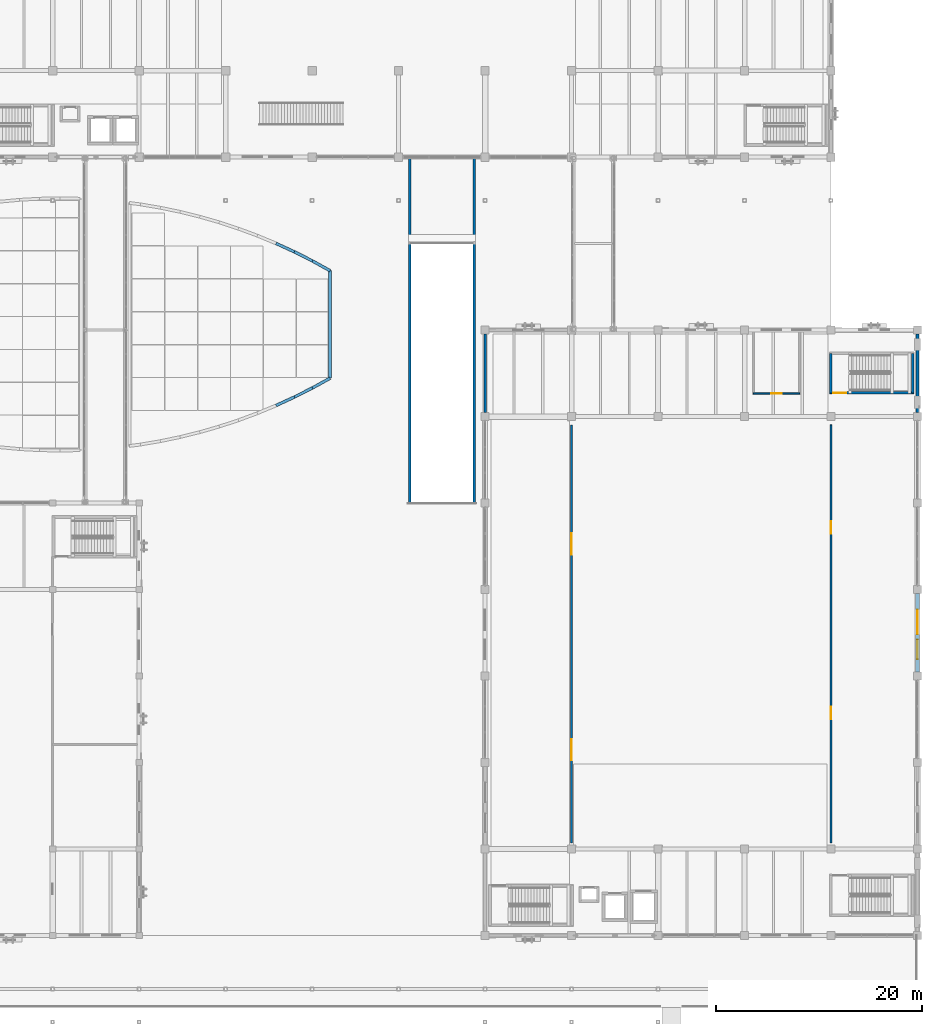
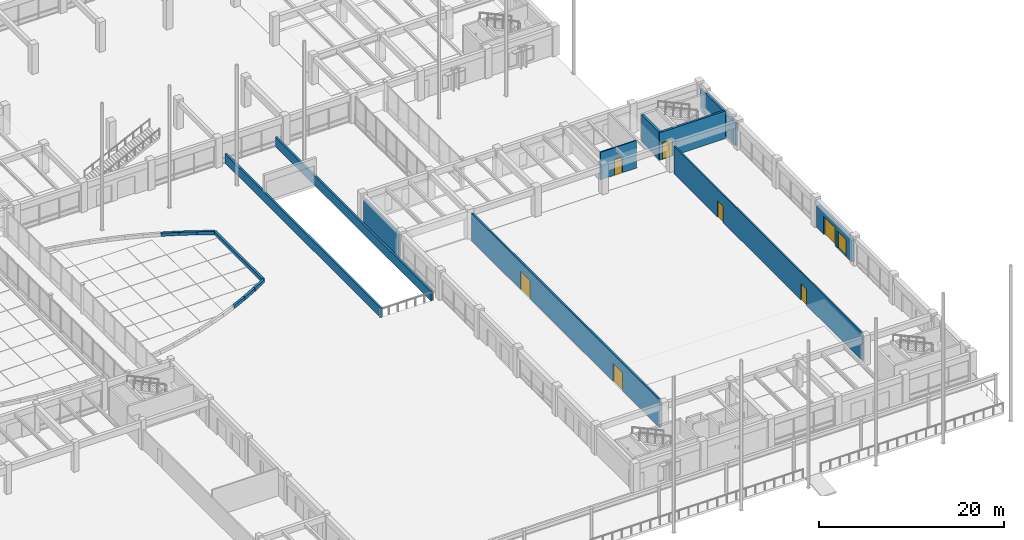
# One storey, part 97 of 135: 18 walls, 8 doors, 8 openings.
"""IFC4 building model written with IfcOpenShell, lengths in metres."""

from ifc_helpers import new_model, si_unit, direction, frame, frame_2d, origin, place, context, subcontext, project, spatial, rectangle, extrude, material, layer, layer_set, type_object, element, fill, save


model = new_model("IFC4")

# Units and contexts
model_context = context("Model", 3, precision=1e-05, world=origin(), true_north=direction((0.0, 1.0)))
body_context = subcontext(model_context, "Body", "Model", "MODEL_VIEW")
ifc_project = project(units=[si_unit("LENGTHUNIT", "METRE"), si_unit("AREAUNIT", "SQUARE_METRE"), si_unit("VOLUMEUNIT", "CUBIC_METRE"), si_unit("PLANEANGLEUNIT", "RADIAN"), si_unit("MASSUNIT", "GRAM", prefix="KILO")], contexts=[model_context])

# Site, building, storey
site_placement = place(None, origin())
site = spatial("IfcSite", under=ifc_project, at=site_placement, CompositionType="ELEMENT")
building_placement = place(site_placement, origin())
building = spatial("IfcBuilding", under=site, at=building_placement, Name="Cumbredor Promenade Congress Hotel", CompositionType="ELEMENT")
storey_placement = place(building_placement, origin())
storey = spatial("IfcBuildingStorey", under=building, at=storey_placement, Name="L00", CompositionType="ELEMENT", Elevation=0.0)

# Wall, openings, doors
ifc_material_1 = material(Name="Concrete C40/50", Category="concrete")
ifc_layer_1 = layer(ifc_material_1, 0.219970703125, Name="Concrete C40/50", Category="concrete")
ifc_layer_set_1 = layer_set([ifc_layer_1], Name="Concrete C40/50")
wall_type_1 = type_object("IfcWallType", Name="WL-ACOUST-220", PredefinedType="SOLIDWALL", material=ifc_layer_set_1)
wall_1_placement = place(storey_placement, frame((151.199951171875, 17.39990234375, 0.0), z_axis=(0.0, 0.0, 1.0), x_axis=(0.0, 1.0, 0.0)))
wall_1 = element("IfcWall", 1, at=wall_1_placement, inside=storey, type_object=wall_type_1, Name="L00 Interior Partition W-L00-V2-W", PredefinedType="SOLIDWALL", context=body_context, shape_type="SweptSolid", body=[
    extrude(rectangle(XDim=40.60009765625, YDim=0.219970703125, at=frame_2d((20.300048828125, 0.0))), origin(), (0.0, 0.0, 1.0), 3.639892578125),
])
opening_1_placement = place(wall_1_placement, frame((8.0, 0.0, 0.0)))
opening_1 = element("IfcOpeningElement", 2, at=opening_1_placement, cuts=wall_1, Name="Opening AD-02", PredefinedType="OPENING", context=body_context, shape_type="SweptSolid", body=[
    extrude(rectangle(XDim=2.050048828125, YDim=2.39990234375, at=frame_2d((1.02490234375, 1.199951171875))), frame((0.0, 0.1201171875, 0.0), z_axis=(0.0, -1.0, 0.0), x_axis=(1.0, 0.0, 0.0)), (0.0, 0.0, 1.0), 0.239990234375),
])
opening_2_placement = place(wall_1_placement, frame((28.0, 0.0, 0.0)))
opening_2 = element("IfcOpeningElement", 3, at=opening_2_placement, cuts=wall_1, Name="Opening AD-02", PredefinedType="OPENING", context=body_context, shape_type="SweptSolid", body=[
    extrude(rectangle(XDim=2.050048828125, YDim=2.39990234375, at=frame_2d((1.02490234375, 1.199951171875))), frame((0.0, 0.1201171875, 0.0), z_axis=(0.0, -1.0, 0.0), x_axis=(1.0, 0.0, 0.0)), (0.0, 0.0, 1.0), 0.239990234375),
])
ifc_material_2 = material(Name="Acoustic solid-core hardwood assembly door", Category="wood")
door_type_1 = type_object("IfcDoorType", Name="DR-BALL-2000", OperationType="DOUBLE_DOOR_SINGLE_SWING", PredefinedType="DOOR", material=ifc_material_2)
door_1_placement = place(opening_1_placement, origin())
door_1 = element("IfcDoor", 4, at=door_1_placement, inside=storey, type_object=door_type_1, Name="L00 Interior Door W-L00-V2-W-01", OperationType="DOUBLE_DOOR_SINGLE_SWING", OverallHeight=2.39990234375, OverallWidth=2.050048828125, PredefinedType="DOOR", context=body_context, shape_type="SweptSolid", body=[
    extrude(rectangle(XDim=2.050048828125, YDim=2.39990234375, at=frame_2d((1.02490234375, 1.199951171875))), frame((0.0, 0.02490234375, 0.0), z_axis=(0.0, -1.0, 0.0), x_axis=(1.0, 0.0, 0.0)), (0.0, 0.0, 1.0), 0.050048828125),
])
fill(opening_1, door_1)
door_2_placement = place(opening_2_placement, origin())
door_2 = element("IfcDoor", 5, at=door_2_placement, inside=storey, type_object=door_type_1, Name="L00 Interior Door W-L00-V2-W-02", OperationType="DOUBLE_DOOR_SINGLE_SWING", OverallHeight=2.39990234375, OverallWidth=2.050048828125, PredefinedType="DOOR", context=body_context, shape_type="SweptSolid", body=[
    extrude(rectangle(XDim=2.050048828125, YDim=2.39990234375, at=frame_2d((1.02490234375, 1.199951171875))), frame((0.0, 0.02490234375, 0.0), z_axis=(0.0, -1.0, 0.0), x_axis=(1.0, 0.0, 0.0)), (0.0, 0.0, 1.0), 0.050048828125),
])
fill(opening_2, door_2)

ifc_material_3 = material(Name="Fire-rated hotel corridor wall")
ifc_layer_2 = layer(ifc_material_3, 0.179931640625, Name="Fire-rated hotel corridor wall")
ifc_layer_set_2 = layer_set([ifc_layer_2], Name="Fire-rated hotel corridor wall")
wall_type_2 = type_object("IfcWallType", Name="WL-CORR-180", PredefinedType="PARTITIONING", material=ifc_layer_set_2)
wall_2_placement = place(storey_placement, frame((176.39990234375, 17.39990234375, 0.0), z_axis=(0.0, 0.0, 1.0), x_axis=(0.0, 1.0, 0.0)))
wall_2 = element("IfcWall", 6, at=wall_2_placement, inside=storey, type_object=wall_type_2, Name="L00 Interior Partition W-L00-V2-E", PredefinedType="PARTITIONING", context=body_context, shape_type="SweptSolid", body=[
    extrude(rectangle(XDim=40.60009765625, YDim=0.179931640625, at=frame_2d((20.300048828125, 0.0))), origin(), (0.0, 0.0, 1.0), 3.639892578125),
])
opening_3_placement = place(wall_2_placement, frame((12.0, 0.0, 0.0)))
opening_3 = element("IfcOpeningElement", 7, at=opening_3_placement, cuts=wall_2, Name="Opening FD-06", PredefinedType="OPENING", context=body_context, shape_type="SweptSolid", body=[
    extrude(rectangle(XDim=1.219970703125, YDim=2.14990234375, at=frame_2d((0.60986328125, 1.074951171875))), frame((0.0, 0.10009765625, 0.0), z_axis=(0.0, -1.0, 0.0), x_axis=(1.0, 0.0, 0.0)), (0.0, 0.0, 1.0), 0.199951171875),
])
opening_4_placement = place(wall_2_placement, frame((30.0, 0.0, 0.0)))
opening_4 = element("IfcOpeningElement", 8, at=opening_4_placement, cuts=wall_2, Name="Opening FD-06", PredefinedType="OPENING", context=body_context, shape_type="SweptSolid", body=[
    extrude(rectangle(XDim=1.219970703125, YDim=2.14990234375, at=frame_2d((0.60986328125, 1.074951171875))), frame((0.0, 0.10009765625, 0.0), z_axis=(0.0, -1.0, 0.0), x_axis=(1.0, 0.0, 0.0)), (0.0, 0.0, 1.0), 0.199951171875),
])
ifc_material_4 = material(Name="Painted galvanized steel fire door", Category="steel")
door_type_2 = type_object("IfcDoorType", Name="DR-SGL-FD60-1200", OperationType="NOTDEFINED", PredefinedType="DOOR", material=ifc_material_4)
door_3_placement = place(opening_3_placement, origin())
door_3 = element("IfcDoor", 9, at=door_3_placement, inside=storey, type_object=door_type_2, Name="L00 Interior Door W-L00-V2-E-01", OperationType="SINGLE_SWING_LEFT", OverallHeight=2.14990234375, OverallWidth=1.219970703125, PredefinedType="DOOR", context=body_context, shape_type="SweptSolid", body=[
    extrude(rectangle(XDim=1.219970703125, YDim=2.14990234375, at=frame_2d((0.60986328125, 1.074951171875))), frame((0.0, 0.02490234375, 0.0), z_axis=(0.0, -1.0, 0.0), x_axis=(1.0, 0.0, 0.0)), (0.0, 0.0, 1.0), 0.050048828125),
])
fill(opening_3, door_3)
door_4_placement = place(opening_4_placement, origin())
door_4 = element("IfcDoor", 10, at=door_4_placement, inside=storey, type_object=door_type_2, Name="L00 Interior Door W-L00-V2-E-02", OperationType="SINGLE_SWING_RIGHT", OverallHeight=2.14990234375, OverallWidth=1.219970703125, PredefinedType="DOOR", context=body_context, shape_type="SweptSolid", body=[
    extrude(rectangle(XDim=1.219970703125, YDim=2.14990234375, at=frame_2d((0.60986328125, 1.074951171875))), frame((0.0, 0.02490234375, 0.0), z_axis=(0.0, -1.0, 0.0), x_axis=(1.0, 0.0, 0.0)), (0.0, 0.0, 1.0), 0.050048828125),
])
fill(opening_4, door_4)

# Walls
ifc_layer_3 = layer(ifc_material_1, 0.260009765625, Name="Concrete C40/50", Category="concrete")
ifc_layer_set_3 = layer_set([ifc_layer_3], Name="Concrete C40/50")
wall_type_3 = type_object("IfcWallType", Name="WL-EXT-260", PredefinedType="SOLIDWALL", material=ifc_layer_set_3)
for number, where, z_axis, x_axis, name in (
    (11, (142.800048828125, 59.200927734375, 0.0), (0.0, 0.0, 1.0), (0.0, 1.0, 0.0), "L00 Grand Ballroom Pavilion West Envelope Wall 7"),
    (12, (184.800048828125, 59.200927734375, 0.0), (0.0, 0.0, 1.0), (0.0, 1.0, 0.0), "L00 Grand Ballroom Pavilion East Envelope Wall 7"),
):
    element("IfcWall", number, at=place(storey_placement, frame(where, z_axis=z_axis, x_axis=x_axis)), inside=storey, type_object=wall_type_3, Name=name, PredefinedType="SOLIDWALL", context=body_context, shape_type="SweptSolid", body=[
        extrude(rectangle(XDim=7.59814453125, YDim=0.260009765625, at=frame_2d((3.799072265625, 0.0))), origin(), (0.0, 0.0, 1.0), 2.97509765625),
    ])

# Wall, openings, doors
ifc_layer_4 = layer(ifc_material_1, 0.3798828125, Name="Concrete C40/50", Category="concrete")
ifc_layer_set_4 = layer_set([ifc_layer_4], Name="Concrete C40/50")
wall_type_4 = type_object("IfcWallType", Name="WL-EXT-380", PredefinedType="SOLIDWALL", material=ifc_layer_set_4)
wall_3_placement = place(storey_placement, frame((184.800048828125, 34.0009765625, 0.0), z_axis=(0.0, 0.0, 1.0), x_axis=(0.0, 1.0, 0.0)))
wall_3 = element("IfcWall", 13, at=wall_3_placement, inside=storey, type_object=wall_type_4, Name="L00 Grand Ballroom Pavilion East Envelope Wall 4", PredefinedType="SOLIDWALL", context=body_context, shape_type="SweptSolid", body=[
    extrude(rectangle(XDim=7.59814453125, YDim=0.3798828125, at=frame_2d((3.799072265625, 0.0))), origin(), (0.0, 0.0, 1.0), 2.875),
])
opening_5_placement = place(wall_3_placement, frame((1.2490234375, 0.0, 0.0)))
opening_5 = element("IfcOpeningElement", 14, at=opening_5_placement, cuts=wall_3, Name="Opening EX-02", PredefinedType="OPENING", context=body_context, shape_type="SweptSolid", body=[
    extrude(rectangle(XDim=1.89990234375, YDim=2.199951171875, at=frame_2d((0.949951171875, 1.10009765625))), frame((0.0, 0.199951171875, 0.0), z_axis=(0.0, -1.0, 0.0), x_axis=(1.0, 0.0, 0.0)), (0.0, 0.0, 1.0), 0.39990234375),
])
opening_6_placement = place(wall_3_placement, frame((3.64794921875, 0.0, 0.0)))
opening_6 = element("IfcOpeningElement", 15, at=opening_6_placement, cuts=wall_3, Name="Opening EX-05", PredefinedType="OPENING", context=body_context, shape_type="SweptSolid", body=[
    extrude(rectangle(XDim=2.39990234375, YDim=2.39990234375, at=frame_2d((1.199951171875, 1.199951171875))), frame((0.0, 0.199951171875, 0.0), z_axis=(0.0, -1.0, 0.0), x_axis=(1.0, 0.0, 0.0)), (0.0, 0.0, 1.0), 0.39990234375),
])
ifc_material_5 = material(Name="Thermally broken anodized aluminium and laminated safety glass", Category="aluminium")
door_type_3 = type_object("IfcDoorType", Name="EXT-DR-EXIT-1900x2200", OperationType="DOUBLE_DOOR_SINGLE_SWING", PredefinedType="DOOR", material=ifc_material_5)
door_5_placement = place(opening_5_placement, frame((1.89990234375, 0.0, 0.0), z_axis=(0.0, 0.0, 1.0), x_axis=(-1.0, 0.0, 0.0)))
door_5 = element("IfcDoor", 16, at=door_5_placement, inside=storey, type_object=door_type_3, Name="L00 Grand Ballroom Pavilion East Final Exit Door 13.1", OperationType="DOUBLE_DOOR_SINGLE_SWING", OverallHeight=2.199951171875, OverallWidth=1.89990234375, PredefinedType="DOOR", context=body_context, shape_type="SweptSolid", body=[
    extrude(rectangle(XDim=1.89990234375, YDim=2.199951171875, at=frame_2d((0.949951171875, 1.10009765625))), frame((0.0, 0.02490234375, 0.0), z_axis=(0.0, -1.0, 0.0), x_axis=(1.0, 0.0, 0.0)), (0.0, 0.0, 1.0), 0.050048828125),
])
fill(opening_5, door_5)
door_type_4 = type_object("IfcDoorType", Name="EXT-DR-EXIT-2400x2400", OperationType="DOUBLE_DOOR_SINGLE_SWING", PredefinedType="DOOR", material=ifc_material_5)
door_6_placement = place(opening_6_placement, frame((2.39990234375, 0.0, 0.0), z_axis=(0.0, 0.0, 1.0), x_axis=(-1.0, 0.0, 0.0)))
door_6 = element("IfcDoor", 17, at=door_6_placement, inside=storey, type_object=door_type_4, Name="L00 Grand Ballroom Pavilion East Final Exit Door 13.2", OperationType="DOUBLE_DOOR_SINGLE_SWING", OverallHeight=2.39990234375, OverallWidth=2.39990234375, PredefinedType="DOOR", context=body_context, shape_type="SweptSolid", body=[
    extrude(rectangle(XDim=2.39990234375, YDim=2.39990234375, at=frame_2d((1.199951171875, 1.199951171875))), frame((0.0, 0.02490234375, 0.0), z_axis=(0.0, -1.0, 0.0), x_axis=(1.0, 0.0, 0.0)), (0.0, 0.0, 1.0), 0.050048828125),
])
fill(opening_6, door_6)

# Walls
ifc_material_6 = material(Name="Precast concrete C40/50", Category="concrete")
ifc_layer_5 = layer(ifc_material_6, 0.239990234375, Name="Precast concrete C40/50", Category="concrete")
ifc_layer_set_5 = layer_set([ifc_layer_5], Name="Precast concrete C40/50")
wall_type_5 = type_object("IfcWallType", Name="WL-PAR-240", PredefinedType="PARAPET", material=ifc_layer_set_5)
for number, where, z_axis, x_axis, name in (
    (18, (135.469970703125, 50.39990234375, 0.0), (0.0, 0.0, 1.0), (0.0, 1.0, 0.0), "L00 Vehicle Ramp & Apron W Kerb Guard Wall"),
    (19, (141.72998046875, 50.39990234375, 0.0), (0.0, 0.0, 1.0), (0.0, 1.0, 0.0), "L00 Vehicle Ramp & Apron E Kerb Guard Wall"),
):
    element("IfcWall", number, at=place(storey_placement, frame(where, z_axis=z_axis, x_axis=x_axis)), inside=storey, type_object=wall_type_5, Name=name, PredefinedType="PARAPET", context=body_context, shape_type="SweptSolid", body=[
        extrude(rectangle(XDim=33.60009765625, YDim=0.239990234375, at=frame_2d((16.800048828125, 0.0))), origin(), (0.0, 0.0, 1.0), 1.25),
    ])
ifc_layer_6 = layer(ifc_material_6, 0.27490234375, Name="Precast concrete C40/50", Category="concrete")
ifc_layer_set_6 = layer_set([ifc_layer_6], Name="Precast concrete C40/50")
wall_type_6 = type_object("IfcWallType", Name="WL-PAR-275", PredefinedType="PARAPET", material=ifc_layer_set_6)
wall_4_placement = place(storey_placement, frame((122.494384765625, 75.619384765625, 0.0), z_axis=(0.0, 0.0, 1.0), x_axis=(0.908921500498, -0.416967272017, 0.0)))
element("IfcWall", 20, at=wall_4_placement, inside=storey, type_object=wall_type_6, Name="Reflecting Pool Curved Stone Coping Kerb 040", PredefinedType="PARAPET", context=body_context, shape_type="SweptSolid", body=[
    extrude(rectangle(XDim=1.963134765625, YDim=0.27490234375, at=frame_2d((0.9814453125, 0.0))), origin(), (0.0, 0.0, 1.0), 0.419921875),
])
for number, where, z_axis, x_axis, name in (
    (21, (124.27880859375, 74.80078125, 0.0), (0.0, 0.0, 1.0), (0.89270458417, -0.450642347546, 0.0), "Reflecting Pool Curved Stone Coping Kerb 041"),
    (22, (126.031494140625, 73.916015625, 0.0), (0.0, 0.0, 1.0), (0.875240150198, -0.483688618308, 0.0), "Reflecting Pool Curved Stone Coping Kerb 042"),
):
    element("IfcWall", number, at=place(storey_placement, frame(where, z_axis=z_axis, x_axis=x_axis)), inside=storey, type_object=wall_type_6, Name=name, PredefinedType="PARAPET", context=body_context, shape_type="SweptSolid", body=[
        extrude(rectangle(XDim=1.96337890625, YDim=0.27490234375, at=frame_2d((0.981689453125, 0.0))), origin(), (0.0, 0.0, 1.0), 0.419921875),
    ])
wall_5_placement = place(storey_placement, frame((127.75, 72.96630859375, 0.0), z_axis=(0.0, 0.0, 1.0), x_axis=(0.0, -1.0, 0.0)))
element("IfcWall", 23, at=wall_5_placement, inside=storey, type_object=wall_type_6, Name="Reflecting Pool Curved Stone Coping Kerb 043", PredefinedType="PARAPET", context=body_context, shape_type="SweptSolid", body=[
    extrude(rectangle(XDim=10.4326171875, YDim=0.27490234375, at=frame_2d((5.21630859375, 0.0))), origin(), (0.0, 0.0, 1.0), 0.419921875),
])
for number, where, z_axis, x_axis, name in (
    (24, (127.75, 62.53369140625, 0.0), (0.0, 0.0, 1.0), (-0.875240150198, -0.483688618308, 0.0), "Reflecting Pool Curved Stone Coping Kerb 044"),
    (25, (126.031494140625, 61.583984375, 0.0), (0.0, 0.0, 1.0), (-0.89270458417, -0.450642347546, 0.0), "Reflecting Pool Curved Stone Coping Kerb 045"),
):
    element("IfcWall", number, at=place(storey_placement, frame(where, z_axis=z_axis, x_axis=x_axis)), inside=storey, type_object=wall_type_6, Name=name, PredefinedType="PARAPET", context=body_context, shape_type="SweptSolid", body=[
        extrude(rectangle(XDim=1.96337890625, YDim=0.27490234375, at=frame_2d((0.981689453125, 0.0))), origin(), (0.0, 0.0, 1.0), 0.419921875),
    ])
wall_6_placement = place(storey_placement, frame((124.27880859375, 60.69921875, 0.0), z_axis=(0.0, 0.0, 1.0), x_axis=(-0.908921500498, -0.416967272017, 0.0)))
element("IfcWall", 26, at=wall_6_placement, inside=storey, type_object=wall_type_6, Name="Reflecting Pool Curved Stone Coping Kerb 046", PredefinedType="PARAPET", context=body_context, shape_type="SweptSolid", body=[
    extrude(rectangle(XDim=1.963134765625, YDim=0.27490234375, at=frame_2d((0.9814453125, 0.0))), origin(), (0.0, 0.0, 1.0), 0.419921875),
])

# Wall, opening, door
ifc_material_7 = material(Name="Acoustic gypsum partition on steel studs", Category="steel")
ifc_layer_7 = layer(ifc_material_7, 0.139892578125, Name="Acoustic gypsum partition on steel studs", Category="steel")
ifc_layer_set_7 = layer_set([ifc_layer_7], Name="Acoustic gypsum partition on steel studs")
wall_type_7 = type_object("IfcWallType", Name="WL-PART-140", PredefinedType="PARTITIONING", material=ifc_layer_set_7)
wall_7_placement = place(storey_placement, frame((168.85009765625, 61.050048828125, 0.0), z_axis=(0.0, 0.0, 1.0), x_axis=(1.0, 0.0, 0.0)))
wall_7 = element("IfcWall", 27, at=wall_7_placement, inside=storey, type_object=wall_type_7, Name="L00 Interior Partition W-L00-V2-WC", PredefinedType="PARTITIONING", context=body_context, shape_type="SweptSolid", body=[
    extrude(rectangle(XDim=4.5, YDim=0.139892578125, at=frame_2d((2.25, 0.0))), origin(), (0.0, 0.0, 1.0), 3.639892578125),
])
opening_7_placement = place(wall_7_placement, frame((1.75, 0.0, 0.0)))
opening_7 = element("IfcOpeningElement", 28, at=opening_7_placement, cuts=wall_7, Name="Opening ID-03", PredefinedType="OPENING", context=body_context, shape_type="SweptSolid", body=[
    extrude(rectangle(XDim=1.0, YDim=2.10009765625, at=frame_2d((0.5, 1.050048828125))), frame((0.0, 0.080078125, 0.0), z_axis=(0.0, -1.0, 0.0), x_axis=(1.0, 0.0, 0.0)), (0.0, 0.0, 1.0), 0.159912109375),
])
ifc_material_8 = material(Name="Kiln-dried tropical hardwood", Category="wood")
door_type_5 = type_object("IfcDoorType", Name="DR-ACC-1000", OperationType="NOTDEFINED", PredefinedType="DOOR", material=ifc_material_8)
door_7_placement = place(opening_7_placement, origin())
door_7 = element("IfcDoor", 29, at=door_7_placement, inside=storey, type_object=door_type_5, Name="L00 Interior Door W-L00-V2-WC-01", OperationType="SINGLE_SWING_LEFT", OverallHeight=2.10009765625, OverallWidth=1.0, PredefinedType="DOOR", context=body_context, shape_type="SweptSolid", body=[
    extrude(rectangle(XDim=1.0, YDim=2.10009765625, at=frame_2d((0.5, 1.050048828125))), frame((0.0, 0.02490234375, 0.0), z_axis=(0.0, -1.0, 0.0), x_axis=(1.0, 0.0, 0.0)), (0.0, 0.0, 1.0), 0.050048828125),
])
fill(opening_7, door_7)

ifc_layer_8 = layer(ifc_material_1, 0.2548828125, Name="Concrete C40/50", Category="concrete")
ifc_layer_set_8 = layer_set([ifc_layer_8], Name="Concrete C40/50")
wall_type_8 = type_object("IfcWallType", Name="WL-SHAFT-250", PredefinedType="SOLIDWALL", material=ifc_layer_set_8)
wall_8_placement = place(storey_placement, frame((176.25244140625, 61.10009765625, 0.0), z_axis=(0.0, 0.0, 1.0), x_axis=(1.0, 0.0, 0.0)))
wall_8 = element("IfcWall", 30, at=wall_8_placement, inside=storey, type_object=wall_type_8, Name="STAIR-ST-10-L00 Shaft Wall South", PredefinedType="SOLIDWALL", context=body_context, shape_type="SweptSolid", body=[
    extrude(rectangle(XDim=8.22509765625, YDim=0.2548828125, at=frame_2d((4.112548828125, 0.0))), origin(), (0.0, 0.0, 1.0), 3.639892578125),
])
opening_8_placement = place(wall_8_placement, frame((0.35009765625, 0.0, 0.0)))
opening_8 = element("IfcOpeningElement", 31, at=opening_8_placement, cuts=wall_8, Name="Opening SD-02", PredefinedType="OPENING", context=body_context, shape_type="SweptSolid", body=[
    extrude(rectangle(XDim=1.25, YDim=2.199951171875, at=frame_2d((0.625, 1.10009765625))), frame((0.0, 0.137451171875, 0.0), z_axis=(0.0, -1.0, 0.0), x_axis=(1.0, 0.0, 0.0)), (0.0, 0.0, 1.0), 0.27490234375),
])
door_type_6 = type_object("IfcDoorType", Name="DR-STAIR-FD90-1250", OperationType="NOTDEFINED", PredefinedType="DOOR", material=ifc_material_4)
door_8_placement = place(opening_8_placement, origin())
door_8 = element("IfcDoor", 32, at=door_8_placement, inside=storey, type_object=door_type_6, Name="L00 Protected Exit Stair ST-10 Door", OperationType="SINGLE_SWING_LEFT", OverallHeight=2.199951171875, OverallWidth=1.25, PredefinedType="DOOR", context=body_context, shape_type="SweptSolid", body=[
    extrude(rectangle(XDim=1.25, YDim=2.199951171875, at=frame_2d((0.625, 1.10009765625))), frame((0.0, 0.02490234375, 0.0), z_axis=(0.0, -1.0, 0.0), x_axis=(1.0, 0.0, 0.0)), (0.0, 0.0, 1.0), 0.050048828125),
])
fill(opening_8, door_8)

# Walls
for number, where, z_axis, x_axis, name in (
    (33, (176.3798828125, 61.10009765625, 0.0), (0.0, 0.0, 1.0), (0.0, 1.0, 0.0), "STAIR-ST-10-L00 Shaft Wall West"),
    (34, (184.35009765625, 61.10009765625, 0.0), (0.0, 0.0, 1.0), (0.0, 1.0, 0.0), "STAIR-ST-10-L00 Shaft Wall East"),
):
    element("IfcWall", number, at=place(storey_placement, frame(where, z_axis=z_axis, x_axis=x_axis)), inside=storey, type_object=wall_type_8, Name=name, PredefinedType="SOLIDWALL", context=body_context, shape_type="SweptSolid", body=[
        extrude(rectangle(XDim=3.849853515625, YDim=0.2548828125, at=frame_2d((1.9248046875, 0.0))), origin(), (0.0, 0.0, 1.0), 3.639892578125),
    ])

save(model, "model.ifc")
